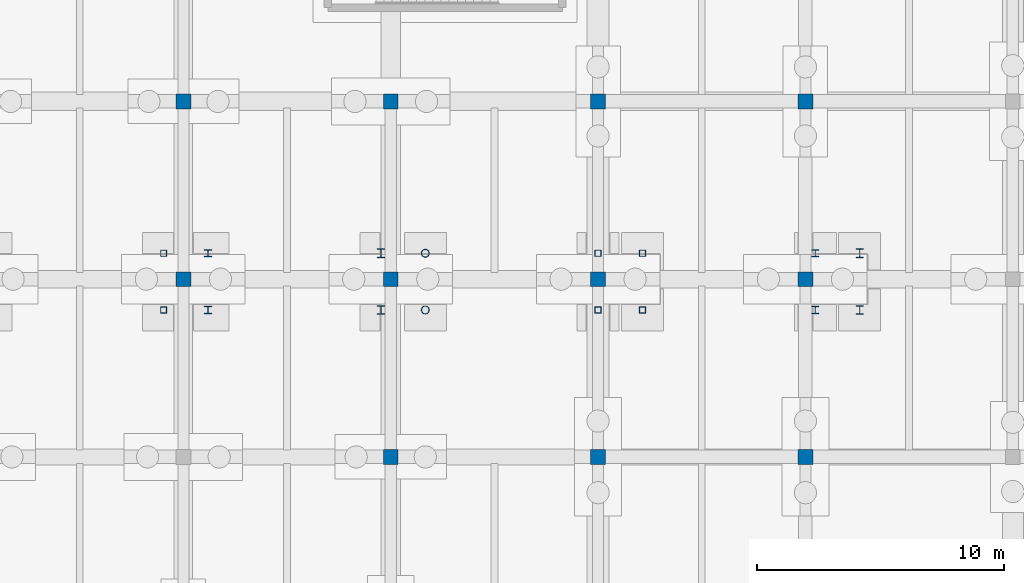
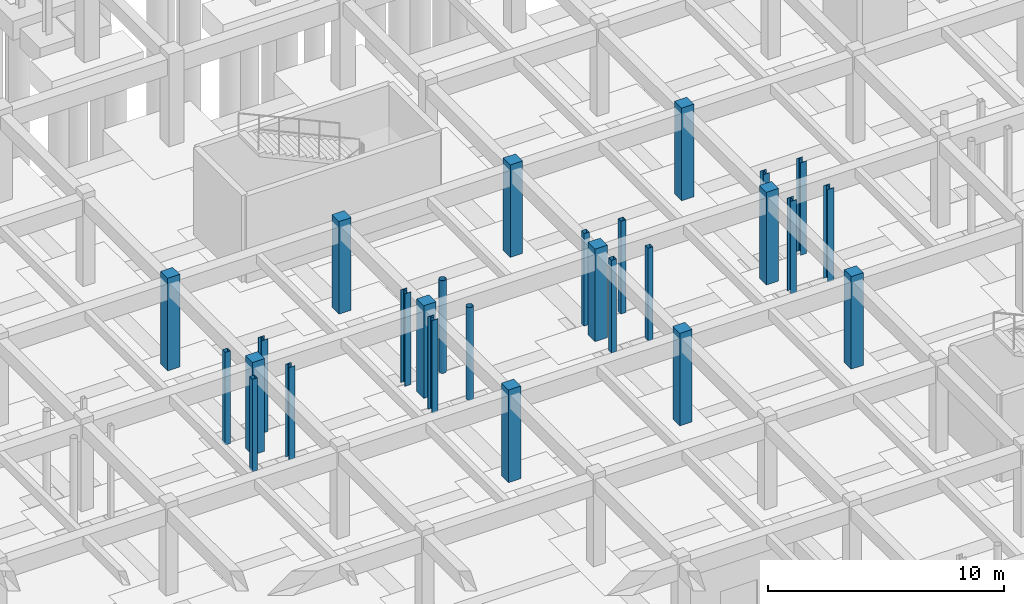
# One storey, part 34 of 80: 27 columns.
"""IFC4 building model written with IfcOpenShell, lengths in metres."""

from ifc_helpers import new_model, si_unit, direction, frame, origin, origin_2d, place, context, subcontext, project, spatial, rectangle, hollow_rectangle, hollow_circle, i_section, extrude, material, material_profile, profile_set, type_object, element, save


model = new_model("IFC4")

# Units and contexts
model_context = context("Model", 3, precision=1e-05, world=origin(), true_north=direction((0.0, 1.0)))
body_context = subcontext(model_context, "Body", "Model", "MODEL_VIEW")
ifc_project = project(units=[si_unit("LENGTHUNIT", "METRE"), si_unit("AREAUNIT", "SQUARE_METRE"), si_unit("VOLUMEUNIT", "CUBIC_METRE"), si_unit("PLANEANGLEUNIT", "RADIAN"), si_unit("MASSUNIT", "GRAM", prefix="KILO")], contexts=[model_context])

# Site, building, storey
site_placement = place(None, origin())
site = spatial("IfcSite", under=ifc_project, at=site_placement, CompositionType="ELEMENT")
building_placement = place(site_placement, origin())
building = spatial("IfcBuilding", under=site, at=building_placement, Name="Malvenik Polytechnic", CompositionType="ELEMENT")
storey_placement = place(building_placement, frame((0.0, 0.0, -4.800048828125)))
storey = spatial("IfcBuildingStorey", under=building, at=storey_placement, Name="B1", CompositionType="ELEMENT", Elevation=-4.800048828125)

# Columns
ifc_material_1 = material(Name="Concrete C35/45", Category="concrete")
ifc_material_profile_1 = material_profile(ifc_material_1, rectangle(XDim=0.60009765625, YDim=0.60009765625, at=origin_2d()), Name="RC COL 600x600")
ifc_profile_set_1 = profile_set([ifc_material_profile_1], Name="Concrete C35/45")
column_type_1 = type_object("IfcColumnType", Name="STR-COL-C-06", PredefinedType="COLUMN", material=ifc_profile_set_1)
for number, where, z_axis, x_axis, name in (
    (1, (67.199951171875, 72.0, 0.0), (0.0, 0.0, 1.0), (1.0, 0.0, 0.0), "Column C-06 B1 (67.2,72.0)"),
    (2, (67.199951171875, 79.199951171875, 0.0), (0.0, 0.0, 1.0), (1.0, 0.0, 0.0), "Column C-06 B1 (67.2,79.2)"),
    (3, (75.60009765625, 64.800048828125, 0.0), (0.0, 0.0, 1.0), (1.0, 0.0, 0.0), "Column C-06 B1 (75.6,64.8)"),
    (4, (75.60009765625, 72.0, 0.0), (0.0, 0.0, 1.0), (1.0, 0.0, 0.0), "Column C-06 B1 (75.6,72.0)"),
    (5, (75.60009765625, 79.199951171875, 0.0), (0.0, 0.0, 1.0), (1.0, 0.0, 0.0), "Column C-06 B1 (75.6,79.2)"),
    (6, (84.0, 64.800048828125, 0.0), (0.0, 0.0, 1.0), (1.0, 0.0, 0.0), "Column C-06 B1 (84.0,64.8)"),
    (7, (84.0, 72.0, 0.0), (0.0, 0.0, 1.0), (1.0, 0.0, 0.0), "Column C-06 B1 (84.0,72.0)"),
    (8, (84.0, 79.199951171875, 0.0), (0.0, 0.0, 1.0), (1.0, 0.0, 0.0), "Column C-06 B1 (84.0,79.2)"),
    (9, (92.39990234375, 64.800048828125, 0.0), (0.0, 0.0, 1.0), (1.0, 0.0, 0.0), "Column C-06 B1 (92.4,64.8)"),
    (10, (92.39990234375, 72.0, 0.0), (0.0, 0.0, 1.0), (1.0, 0.0, 0.0), "Column C-06 B1 (92.4,72.0)"),
    (11, (92.39990234375, 79.199951171875, 0.0), (0.0, 0.0, 1.0), (1.0, 0.0, 0.0), "Column C-06 B1 (92.4,79.2)"),
):
    element("IfcColumn", number, at=place(storey_placement, frame(where, z_axis=z_axis, x_axis=x_axis)), inside=storey, type_object=column_type_1, Name=name, PredefinedType="COLUMN", context=body_context, shape_type="SweptSolid", body=[
        extrude(rectangle(XDim=0.60009765625, YDim=0.60009765625, at=origin_2d()), origin(), (0.0, 0.0, 1.0), 4.800048828125),
    ])
ifc_material_2 = material(Name="Steel S355J2H", Category="steel")
ifc_material_profile_2 = material_profile(ifc_material_2, hollow_rectangle(XDim=0.25, YDim=0.25, WallThickness=0.010009765625, at=origin_2d()), Name="SHS 250x250x10.0")
ifc_profile_set_2 = profile_set([ifc_material_profile_2], Name="Steel S355J2H")
column_type_2 = type_object("IfcColumnType", Name="STR-SCOL-SC-01", PredefinedType="COLUMN", material=ifc_profile_set_2)
for number, where, z_axis, x_axis, name in (
    (12, (85.800048828125, 70.75, 0.0), (0.0, 0.0, 1.0), (1.0, 0.0, 0.0), "Bridge-Ramp Support Column SC-01 B1"),
    (13, (85.800048828125, 73.050048828125, 0.0), (0.0, 0.0, 1.0), (1.0, 0.0, 0.0), "Bridge-Ramp Support Column SC-01 B1"),
    (14, (84.0, 70.75, 0.0), (0.0, 0.0, 1.0), (1.0, 0.0, 0.0), "Bridge-Ramp Support Column SC-01 B1"),
    (15, (84.0, 73.050048828125, 0.0), (0.0, 0.0, 1.0), (1.0, 0.0, 0.0), "Bridge-Ramp Support Column SC-01 B1"),
    (16, (66.39990234375, 70.75, 0.0), (0.0, 0.0, 1.0), (1.0, 0.0, 0.0), "Bridge-Ramp Support Column SC-01 B1"),
    (17, (66.39990234375, 73.050048828125, 0.0), (0.0, 0.0, 1.0), (1.0, 0.0, 0.0), "Bridge-Ramp Support Column SC-01 B1"),
):
    element("IfcColumn", number, at=place(storey_placement, frame(where, z_axis=z_axis, x_axis=x_axis)), inside=storey, type_object=column_type_2, Name=name, PredefinedType="COLUMN", context=body_context, shape_type="SweptSolid", body=[
        extrude(hollow_rectangle(XDim=0.25, YDim=0.25, WallThickness=0.010009765625, at=origin_2d()), origin(), (0.0, 0.0, 1.0), 4.800048828125),
    ])
ifc_material_3 = material(Name="Steel S355", Category="steel")
ifc_material_profile_3 = material_profile(ifc_material_3, i_section(OverallWidth=0.300048828125, OverallDepth=0.360107421875, WebThickness=0.012451171875, FlangeThickness=0.0224609375, FilletRadius=0.027099609375, at=origin_2d()), Name="HEB 360")
ifc_profile_set_3 = profile_set([ifc_material_profile_3], Name="Steel S355")
column_type_3 = type_object("IfcColumnType", Name="STR-SCOL-SC-03", PredefinedType="COLUMN", material=ifc_profile_set_3)
for number, where, z_axis, x_axis, name in (
    (18, (94.60009765625, 70.75, 0.0), (0.0, 0.0, 1.0), (1.0, 0.0, 0.0), "Bridge-Ramp Support Column SC-03 B1"),
    (19, (94.60009765625, 73.050048828125, 0.0), (0.0, 0.0, 1.0), (1.0, 0.0, 0.0), "Bridge-Ramp Support Column SC-03 B1"),
    (20, (75.199951171875, 70.75, 0.0), (0.0, 0.0, 1.0), (1.0, 0.0, 0.0), "Bridge-Ramp Support Column SC-03 B1"),
    (21, (75.199951171875, 73.050048828125, 0.0), (0.0, 0.0, 1.0), (1.0, 0.0, 0.0), "Bridge-Ramp Support Column SC-03 B1"),
):
    element("IfcColumn", number, at=place(storey_placement, frame(where, z_axis=z_axis, x_axis=x_axis)), inside=storey, type_object=column_type_3, Name=name, PredefinedType="COLUMN", context=body_context, shape_type="SweptSolid", body=[
        extrude(i_section(OverallWidth=0.300048828125, OverallDepth=0.360107421875, WebThickness=0.012451171875, FlangeThickness=0.0224609375, FilletRadius=0.027099609375, at=origin_2d()), origin(), (0.0, 0.0, 1.0), 4.800048828125),
    ])
ifc_material_profile_4 = material_profile(ifc_material_2, hollow_circle(Radius=0.161865234375, WallThickness=0.012451171875, at=origin_2d()), Name="CHS 323.9x12.5")
ifc_profile_set_4 = profile_set([ifc_material_profile_4], Name="Steel S355J2H")
column_type_4 = type_object("IfcColumnType", Name="STR-SCOL-SC-04", PredefinedType="COLUMN", material=ifc_profile_set_4)
for number, where, z_axis, x_axis, name in (
    (22, (77.0, 70.75, 0.0), (0.0, 0.0, 1.0), (1.0, 0.0, 0.0), "Bridge-Ramp Support Column SC-04 B1"),
    (23, (77.0, 73.050048828125, 0.0), (0.0, 0.0, 1.0), (1.0, 0.0, 0.0), "Bridge-Ramp Support Column SC-04 B1"),
):
    element("IfcColumn", number, at=place(storey_placement, frame(where, z_axis=z_axis, x_axis=x_axis)), inside=storey, type_object=column_type_4, Name=name, PredefinedType="COLUMN", context=body_context, shape_type="SweptSolid", body=[
        extrude(hollow_circle(Radius=0.161865234375, WallThickness=0.012451171875, at=origin_2d()), origin(), (0.0, 0.0, 1.0), 4.800048828125),
    ])
ifc_material_profile_5 = material_profile(ifc_material_3, i_section(OverallWidth=0.300048828125, OverallDepth=0.300048828125, WebThickness=0.010986328125, FlangeThickness=0.01904296875, FilletRadius=0.027099609375, at=origin_2d()), Name="HEB 300")
ifc_profile_set_5 = profile_set([ifc_material_profile_5], Name="Steel S355")
column_type_5 = type_object("IfcColumnType", Name="STR-SCOL-SC-05", PredefinedType="COLUMN", material=ifc_profile_set_5)
for number, where, z_axis, x_axis, name in (
    (24, (92.800048828125, 70.75, 0.0), (0.0, 0.0, 1.0), (1.0, 0.0, 0.0), "Bridge-Ramp Support Column SC-05 B1"),
    (25, (92.800048828125, 73.050048828125, 0.0), (0.0, 0.0, 1.0), (1.0, 0.0, 0.0), "Bridge-Ramp Support Column SC-05 B1"),
    (26, (68.199951171875, 70.75, 0.0), (0.0, 0.0, 1.0), (1.0, 0.0, 0.0), "Bridge-Ramp Support Column SC-05 B1"),
    (27, (68.199951171875, 73.050048828125, 0.0), (0.0, 0.0, 1.0), (1.0, 0.0, 0.0), "Bridge-Ramp Support Column SC-05 B1"),
):
    element("IfcColumn", number, at=place(storey_placement, frame(where, z_axis=z_axis, x_axis=x_axis)), inside=storey, type_object=column_type_5, Name=name, PredefinedType="COLUMN", context=body_context, shape_type="SweptSolid", body=[
        extrude(i_section(OverallWidth=0.300048828125, OverallDepth=0.300048828125, WebThickness=0.010986328125, FlangeThickness=0.01904296875, FilletRadius=0.027099609375, at=origin_2d()), origin(), (0.0, 0.0, 1.0), 4.800048828125),
    ])

save(model, "model.ifc")
